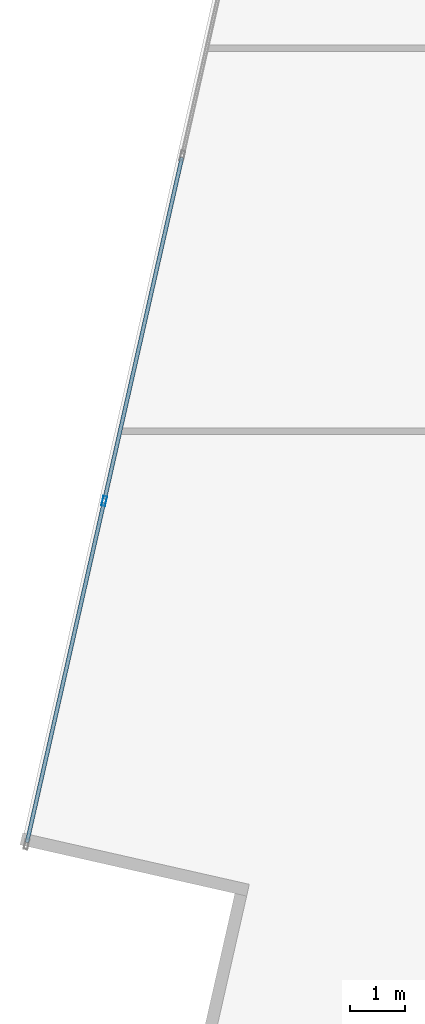
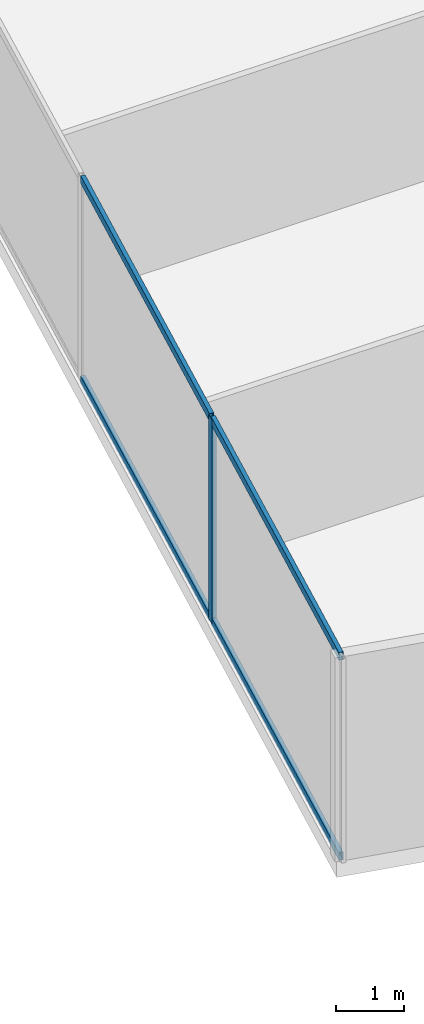
# One storey, part 6 of 26: 5 members, 1 element without a shape of its own.
"""IFC4 building model written with IfcOpenShell, lengths in metres."""

from ifc_helpers import new_model, si_unit, direction, frame, origin, origin_2d, place, context, subcontext, project, spatial, hollow_rectangle, extrude, source, transform, mapped, material, material_profile, profile_set, type_object, type_shapes, element, aggregate, save


model = new_model("IFC4")

# Units and contexts
model_context = context("Model", 3, precision=1e-05, world=origin(), true_north=direction((0.0, 1.0)))
body_context = subcontext(model_context, "Body", "Model", "MODEL_VIEW")
ifc_project = project(units=[si_unit("LENGTHUNIT", "METRE"), si_unit("AREAUNIT", "SQUARE_METRE"), si_unit("VOLUMEUNIT", "CUBIC_METRE"), si_unit("PLANEANGLEUNIT", "RADIAN"), si_unit("MASSUNIT", "GRAM", prefix="KILO")], contexts=[model_context])

# Site, building, storey
site_placement = place(None, origin())
site = spatial("IfcSite", under=ifc_project, at=site_placement, CompositionType="ELEMENT")
building_placement = place(site_placement, origin())
building = spatial("IfcBuilding", under=site, at=building_placement, Name="Krantzveldt Concourse Tower", CompositionType="ELEMENT")
storey_placement = place(building_placement, frame((0.0, 0.0, 94.0)))
storey = spatial("IfcBuildingStorey", under=building, at=storey_placement, Name="L22", CompositionType="ELEMENT", Elevation=94.0)

# Curtain wall, members
ifc_material = material(Name="Anodised aluminium 6063-T6", Category="aluminium")
curtain_wall_type = type_object("IfcCurtainWallType", Name="CW2", PredefinedType="USERDEFINED", material=ifc_material)
curtain_wall_placement = place(storey_placement, origin())
curtain_wall = element("IfcCurtainWall", 1, at=curtain_wall_placement, inside=storey, type_object=curtain_wall_type, Name="CW-L22-F01", ObjectType="UNITISED CURTAIN WALL", PredefinedType="USERDEFINED")
ifc_material_profile_1 = material_profile(ifc_material, hollow_rectangle(XDim=0.070068359375, YDim=0.179931640625, WallThickness=0.0048828125, at=origin_2d()), Name="Anodised aluminium 6063-T6", Category="aluminium")
ifc_profile_set_1 = profile_set([ifc_material_profile_1], Name="Anodised aluminium 6063-T6 - ALU-MULL 180x70x5")
member_type_1 = type_object("IfcMemberType", Name="CW-MUL-180", PredefinedType="MULLION", material=ifc_profile_set_1)
shared_shape_1 = source(origin(), body_context, "Body", "SweptSolid", [
    extrude(hollow_rectangle(XDim=0.070068359375, YDim=0.179931640625, WallThickness=0.0048828125, at=origin_2d()), origin(), (0.0, 0.0, 1.0), 3.669921875),
])
type_shapes(member_type_1, [shared_shape_1])
member_1_placement = place(storey_placement, frame((10.410400390625, 19.22998046875, 0.0), z_axis=(0.0, 0.0, 1.0), x_axis=(0.975342320609, -0.220697434579, 0.0)))
member_1 = element("IfcMember", 2, at=member_1_placement, type_object=member_type_1, Name="CW-Z12 mullion 6", PredefinedType="MULLION", context=body_context, shape_type="MappedRepresentation", body=[
    mapped(shared_shape_1, transform((0.0, 0.0, 0.0), x_axis=(1.0, 0.0, 0.0), y_axis=(0.0, 1.0, 0.0), z_axis=(0.0, 0.0, 1.0), scale=1.0)),
])
ifc_material_profile_2 = material_profile(ifc_material, hollow_rectangle(XDim=0.070068359375, YDim=0.139892578125, WallThickness=0.0048828125, at=origin_2d()), Name="Anodised aluminium 6063-T6", Category="aluminium")
ifc_profile_set_2 = profile_set([ifc_material_profile_2], Name="Anodised aluminium 6063-T6 - ALU-TRAN 140x70x5")
member_type_2 = type_object("IfcMemberType", Name="CW-TRN-150", PredefinedType="USERDEFINED", material=ifc_profile_set_2)
shared_shape_2 = source(origin(), body_context, "Body", "SweptSolid", [
    extrude(hollow_rectangle(XDim=0.070068359375, YDim=0.139892578125, WallThickness=0.0048828125, at=origin_2d()), origin(), (0.0, 0.0, 1.0), 6.396728515625),
])
member_2_placement = place(storey_placement, frame((11.829833984375, 25.503173828125, 0.034912109375), z_axis=(-0.220679058454, -0.975346478519, 0.0), x_axis=(0.975346478519, -0.220679058454, 0.0)))
member_2 = element("IfcMember", 3, at=member_2_placement, type_object=member_type_2, Name="CW-Z12 transom 5.1", ObjectType="TRANSOM", PredefinedType="USERDEFINED", context=body_context, shape_type="MappedRepresentation", body=[
    mapped(shared_shape_2, transform((0.0, 0.0, 0.0), x_axis=(1.0, 0.0, 0.0), y_axis=(0.0, 1.0, 0.0), z_axis=(0.0, 0.0, 1.0), scale=1.0)),
])
member_3_placement = place(storey_placement, frame((11.829833984375, 25.503173828125, 3.635009765625), z_axis=(-0.220679058454, -0.975346478519, 0.0), x_axis=(0.975346478519, -0.220679058454, 0.0)))
member_3 = element("IfcMember", 4, at=member_3_placement, type_object=member_type_2, Name="CW-Z12 transom 5.2", ObjectType="TRANSOM", PredefinedType="USERDEFINED", context=body_context, shape_type="MappedRepresentation", body=[
    mapped(shared_shape_2, transform((0.0, 0.0, 0.0), x_axis=(1.0, 0.0, 0.0), y_axis=(0.0, 1.0, 0.0), z_axis=(0.0, 0.0, 1.0), scale=1.0)),
])
shared_shape_3 = source(origin(), body_context, "Body", "SweptSolid", [
    extrude(hollow_rectangle(XDim=0.070068359375, YDim=0.139892578125, WallThickness=0.0048828125, at=origin_2d()), origin(), (0.0, 0.0, 1.0), 6.361328125),
])
type_shapes(member_type_2, [shared_shape_2, shared_shape_3])
member_4_placement = place(storey_placement, frame((10.402587890625, 19.19580078125, 0.034912109375), z_axis=(-0.220675489666, -0.975347285976, 0.0), x_axis=(0.975347285976, -0.220675489666, 0.0)))
member_4 = element("IfcMember", 5, at=member_4_placement, type_object=member_type_2, Name="CW-Z12 transom 6.1", ObjectType="TRANSOM", PredefinedType="USERDEFINED", context=body_context, shape_type="MappedRepresentation", body=[
    mapped(shared_shape_3, transform((0.0, 0.0, 0.0), x_axis=(1.0, 0.0, 0.0), y_axis=(0.0, 1.0, 0.0), z_axis=(0.0, 0.0, 1.0), scale=1.0)),
])
member_5_placement = place(storey_placement, frame((10.402587890625, 19.19580078125, 3.635009765625), z_axis=(-0.220675489666, -0.975347285976, 0.0), x_axis=(0.975347285976, -0.220675489666, 0.0)))
member_5 = element("IfcMember", 6, at=member_5_placement, type_object=member_type_2, Name="CW-Z12 transom 6.2", ObjectType="TRANSOM", PredefinedType="USERDEFINED", context=body_context, shape_type="MappedRepresentation", body=[
    mapped(shared_shape_3, transform((0.0, 0.0, 0.0), x_axis=(1.0, 0.0, 0.0), y_axis=(0.0, 1.0, 0.0), z_axis=(0.0, 0.0, 1.0), scale=1.0)),
])
aggregate(curtain_wall, [member_1, member_2, member_3, member_4, member_5])

save(model, "model.ifc")
